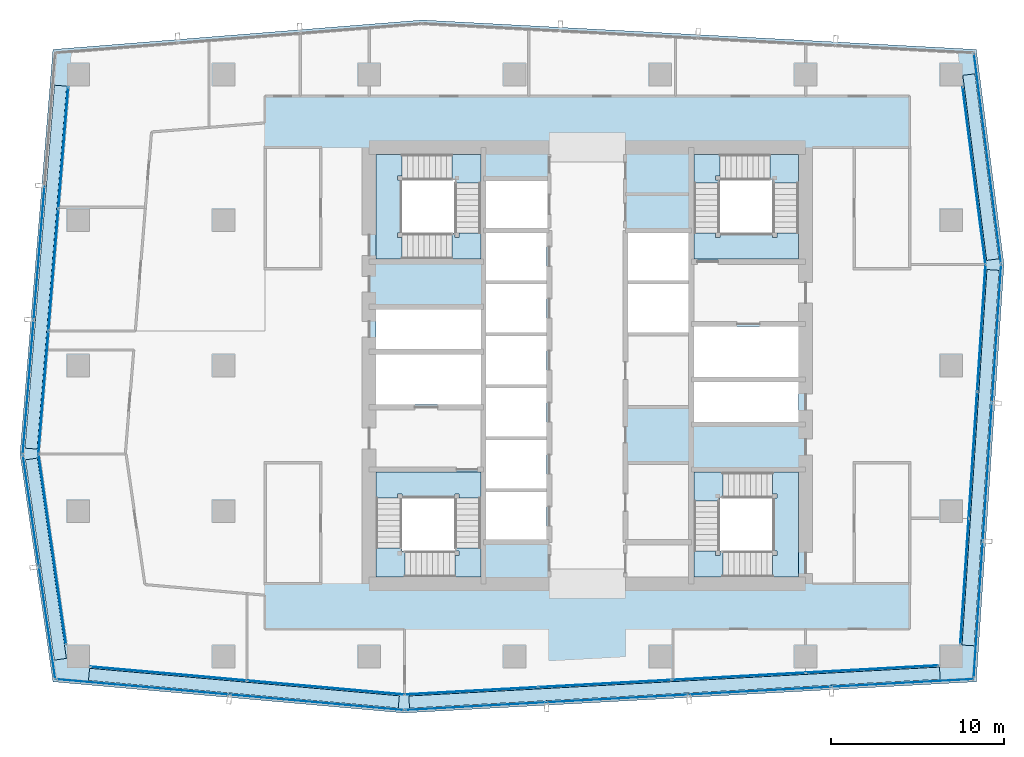
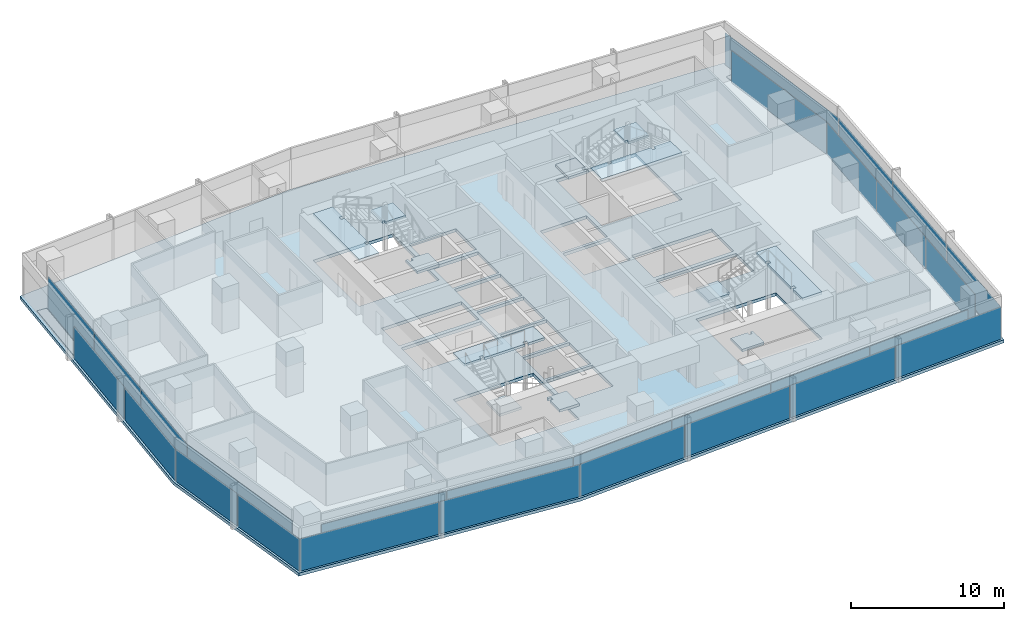
# One storey, part 21 of 29: 34 plates, 13 slabs, 16 elements without a shape of their own.
"""IFC4 building model written with IfcOpenShell, lengths in metres."""

from ifc_helpers import new_model, si_unit, direction, frame, origin, origin_2d, place, context, subcontext, project, spatial, polyline, rectangle, outline, extrude, material, layer, layer_set, type_object, element, aggregate, save


model = new_model("IFC4")

# Units and contexts
model_context = context("Model", 3, precision=1e-05, world=origin(), true_north=direction((0.0, 1.0)))
body_context = subcontext(model_context, "Body", "Model", "MODEL_VIEW")
ifc_project = project(units=[si_unit("LENGTHUNIT", "METRE"), si_unit("AREAUNIT", "SQUARE_METRE"), si_unit("VOLUMEUNIT", "CUBIC_METRE"), si_unit("PLANEANGLEUNIT", "RADIAN"), si_unit("MASSUNIT", "GRAM", prefix="KILO")], contexts=[model_context])

# Site, building, storey
site_placement = place(None, origin())
site = spatial("IfcSite", under=ifc_project, at=site_placement, CompositionType="ELEMENT")
building_placement = place(site_placement, origin())
building = spatial("IfcBuilding", under=site, at=building_placement, Name="Rekha Terrace Tower", CompositionType="ELEMENT")
storey_placement = place(building_placement, frame((0.0, 0.0, 261.35009765625)))
storey = spatial("IfcBuildingStorey", under=building, at=storey_placement, Name="L66", CompositionType="ELEMENT", Elevation=261.35009765625)

# Curtain wall, plates
ifc_material_1 = material(Name="Aluminium framing", Category="aluminium")
curtain_wall_type_1 = type_object("IfcCurtainWallType", Name="CW1 double skin inner glazing", PredefinedType="USERDEFINED", material=ifc_material_1)
curtain_wall_1_placement = place(storey_placement, origin())
curtain_wall_1 = element("IfcCurtainWall", 1, at=curtain_wall_1_placement, inside=storey, type_object=curtain_wall_type_1, Name="CW1 double skin inner glazing", ObjectType="DOUBLE SKIN INNER GLAZING", PredefinedType="USERDEFINED")
ifc_material_2 = material(Name="Double-glazed low-e unit 32", Category="glass")
ifc_layer_1 = layer(ifc_material_2, 0.031982421875)
ifc_layer_set_1 = layer_set([ifc_layer_1], Name="Double-glazed low-e unit 32")
plate_type_1 = type_object("IfcPlateType", Name="CW1 jumbo vision panel, double-glazed low-e unit 32", PredefinedType="CURTAIN_PANEL", material=ifc_layer_set_1)
plate_1_placement = place(storey_placement, frame((13.62939453125, 15.820556640625, -0.000244140625), z_axis=(0.0, 0.0, 1.0), x_axis=(0.996074182663, -0.088522441405, 0.0)))
plate_1 = element("IfcPlate", 2, at=plate_1_placement, type_object=plate_type_1, Name="CW1 panel 1.1", PredefinedType="CURTAIN_PANEL", context=body_context, shape_type="SweptSolid", body=[
    extrude(rectangle(XDim=9.010986328125, YDim=0.031982421875, at=origin_2d()), origin(), (0.0, 0.0, 1.0), 2.60009765625),
])
plate_2_placement = place(storey_placement, frame((22.701904296875, 15.01416015625, -0.000244140625), z_axis=(0.0, 0.0, 1.0), x_axis=(0.996074182663, -0.088522441405, 0.0)))
plate_2 = element("IfcPlate", 3, at=plate_2_placement, type_object=plate_type_1, Name="CW1 panel 2.1", PredefinedType="CURTAIN_PANEL", context=body_context, shape_type="SweptSolid", body=[
    extrude(rectangle(XDim=9.075927734375, YDim=0.031982421875, at=origin_2d()), origin(), (0.0, 0.0, 1.0), 2.60009765625),
])
aggregate(curtain_wall_1, [plate_1, plate_2])

curtain_wall_2_placement = place(storey_placement, origin())
curtain_wall_2 = element("IfcCurtainWall", 4, at=curtain_wall_2_placement, inside=storey, type_object=curtain_wall_type_1, Name="CW1 double skin inner glazing", ObjectType="DOUBLE SKIN INNER GLAZING", PredefinedType="USERDEFINED")
plate_3_placement = place(storey_placement, frame((31.101318359375, 14.82373046875, -0.000244140625), z_axis=(0.0, 0.0, 1.0), x_axis=(0.998519828159, 0.054388903036, 0.0)))
plate_3 = element("IfcPlate", 5, at=plate_3_placement, type_object=plate_type_1, Name="CW1 panel 1.1", PredefinedType="CURTAIN_PANEL", context=body_context, shape_type="SweptSolid", body=[
    extrude(rectangle(XDim=7.6396484375, YDim=0.031982421875, at=origin_2d()), origin(), (0.0, 0.0, 1.0), 2.60009765625),
])
plate_4_placement = place(storey_placement, frame((38.810791015625, 15.243896484375, -0.000244140625), z_axis=(0.0, 0.0, 1.0), x_axis=(0.998519828159, 0.054388903036, 0.0)))
plate_4 = element("IfcPlate", 6, at=plate_4_placement, type_object=plate_type_1, Name="CW1 panel 2.1", PredefinedType="CURTAIN_PANEL", context=body_context, shape_type="SweptSolid", body=[
    extrude(rectangle(XDim=7.672119140625, YDim=0.031982421875, at=origin_2d()), origin(), (0.0, 0.0, 1.0), 2.60009765625),
])
plate_5_placement = place(storey_placement, frame((46.536376953125, 15.66455078125, -0.000244140625), z_axis=(0.0, 0.0, 1.0), x_axis=(0.998519828159, 0.054388903036, 0.0)))
plate_5 = element("IfcPlate", 7, at=plate_5_placement, type_object=plate_type_1, Name="CW1 panel 3.1", PredefinedType="CURTAIN_PANEL", context=body_context, shape_type="SweptSolid", body=[
    extrude(rectangle(XDim=7.672119140625, YDim=0.031982421875, at=origin_2d()), origin(), (0.0, 0.0, 1.0), 2.60009765625),
])
plate_6_placement = place(storey_placement, frame((54.245849609375, 16.08447265625, -0.000244140625), z_axis=(0.0, 0.0, 1.0), x_axis=(0.998519828159, 0.054388903036, 0.0)))
plate_6 = element("IfcPlate", 8, at=plate_6_placement, type_object=plate_type_1, Name="CW1 panel 4.1", PredefinedType="CURTAIN_PANEL", context=body_context, shape_type="SweptSolid", body=[
    extrude(rectangle(XDim=7.6396484375, YDim=0.031982421875, at=origin_2d()), origin(), (0.0, 0.0, 1.0), 2.60009765625),
])
aggregate(curtain_wall_2, [plate_3, plate_4, plate_5, plate_6])

curtain_wall_3_placement = place(storey_placement, origin())
curtain_wall_3 = element("IfcCurtainWall", 9, at=curtain_wall_3_placement, inside=storey, type_object=curtain_wall_type_1, Name="CW1 double skin inner glazing", ObjectType="DOUBLE SKIN INNER GLAZING", PredefinedType="USERDEFINED")
plate_7_placement = place(storey_placement, frame((59.57275390625, 21.147705078125, -0.000244140625), z_axis=(0.0, 0.0, 1.0), x_axis=(0.066271589649, 0.997801621769, 0.0)))
plate_7 = element("IfcPlate", 10, at=plate_7_placement, type_object=plate_type_1, Name="CW1 panel 1.1", PredefinedType="CURTAIN_PANEL", context=body_context, shape_type="SweptSolid", body=[
    extrude(rectangle(XDim=7.228759765625, YDim=0.031982421875, at=origin_2d()), origin(), (0.0, 0.0, 1.0), 2.60009765625),
])
plate_8_placement = place(storey_placement, frame((60.05712890625, 28.441650390625, -0.000244140625), z_axis=(0.0, 0.0, 1.0), x_axis=(0.066271589649, 0.997801621769, 0.0)))
plate_8 = element("IfcPlate", 11, at=plate_8_placement, type_object=plate_type_1, Name="CW1 panel 2.1", PredefinedType="CURTAIN_PANEL", context=body_context, shape_type="SweptSolid", body=[
    extrude(rectangle(XDim=7.261474609375, YDim=0.031982421875, at=origin_2d()), origin(), (0.0, 0.0, 1.0), 2.60009765625),
])
plate_9_placement = place(storey_placement, frame((60.543701171875, 35.76806640625, -0.000244140625), z_axis=(0.0, 0.0, 1.0), x_axis=(0.066271589649, 0.997801621769, 0.0)))
plate_9 = element("IfcPlate", 12, at=plate_9_placement, type_object=plate_type_1, Name="CW1 panel 3.1", PredefinedType="CURTAIN_PANEL", context=body_context, shape_type="SweptSolid", body=[
    extrude(rectangle(XDim=7.2939453125, YDim=0.031982421875, at=origin_2d()), origin(), (0.0, 0.0, 1.0), 2.60009765625),
])
aggregate(curtain_wall_3, [plate_7, plate_8, plate_9])

# Curtain wall, plate
curtain_wall_4_placement = place(storey_placement, origin())
curtain_wall_4 = element("IfcCurtainWall", 13, at=curtain_wall_4_placement, inside=storey, type_object=curtain_wall_type_1, Name="CW1 double skin inner glazing", ObjectType="DOUBLE SKIN INNER GLAZING", PredefinedType="USERDEFINED")
plate_10_placement = place(storey_placement, frame((60.119873046875, 44.56884765625, -0.000244140625), z_axis=(0.0, 0.0, 1.0), x_axis=(-0.127869904766, 0.991790949472, 0.0)))
plate_10 = element("IfcPlate", 14, at=plate_10_placement, type_object=plate_type_1, Name="CW1 panel 1.1", PredefinedType="CURTAIN_PANEL", context=body_context, shape_type="SweptSolid", body=[
    extrude(rectangle(XDim=10.27880859375, YDim=0.031982421875, at=origin_2d()), origin(), (0.0, 0.0, 1.0), 2.60009765625),
])
aggregate(curtain_wall_4, [plate_10])

# Curtain wall, plates
curtain_wall_5_placement = place(storey_placement, origin())
curtain_wall_5 = element("IfcCurtainWall", 15, at=curtain_wall_5_placement, inside=storey, type_object=curtain_wall_type_1, Name="CW1 double skin inner glazing", ObjectType="DOUBLE SKIN INNER GLAZING", PredefinedType="USERDEFINED")
plate_11_placement = place(storey_placement, frame((7.5517578125, 46.173095703125, -0.000244140625), z_axis=(0.0, 0.0, 1.0), x_axis=(-0.081067906781, -0.996708580524, 0.0)))
plate_11 = element("IfcPlate", 16, at=plate_11_placement, type_object=plate_type_1, Name="CW1 panel 1.1", PredefinedType="CURTAIN_PANEL", context=body_context, shape_type="SweptSolid", body=[
    extrude(rectangle(XDim=6.9921875, YDim=0.031982421875, at=origin_2d()), origin(), (0.0, 0.0, 1.0), 2.60009765625),
])
plate_12_placement = place(storey_placement, frame((6.978271484375, 39.123046875, -0.000244140625), z_axis=(0.0, 0.0, 1.0), x_axis=(-0.081067906781, -0.996708580524, 0.0)))
plate_12 = element("IfcPlate", 17, at=plate_12_placement, type_object=plate_type_1, Name="CW1 panel 2.1", PredefinedType="CURTAIN_PANEL", context=body_context, shape_type="SweptSolid", body=[
    extrude(rectangle(XDim=7.024658203125, YDim=0.031982421875, at=origin_2d()), origin(), (0.0, 0.0, 1.0), 2.60009765625),
])
plate_13_placement = place(storey_placement, frame((6.40234375, 32.040283203125, -0.000244140625), z_axis=(0.0, 0.0, 1.0), x_axis=(-0.081067906781, -0.996708580524, 0.0)))
plate_13 = element("IfcPlate", 18, at=plate_13_placement, type_object=plate_type_1, Name="CW1 panel 3.1", PredefinedType="CURTAIN_PANEL", context=body_context, shape_type="SweptSolid", body=[
    extrude(rectangle(XDim=7.057373046875, YDim=0.031982421875, at=origin_2d()), origin(), (0.0, 0.0, 1.0), 2.60009765625),
])
aggregate(curtain_wall_5, [plate_11, plate_12, plate_13])

# Curtain wall, plate
curtain_wall_6_placement = place(storey_placement, origin())
curtain_wall_6 = element("IfcCurtainWall", 19, at=curtain_wall_6_placement, inside=storey, type_object=curtain_wall_type_1, Name="CW1 double skin inner glazing", ObjectType="DOUBLE SKIN INNER GLAZING", PredefinedType="USERDEFINED")
plate_14_placement = place(storey_placement, frame((6.915771484375, 22.994140625, -0.000244140625), z_axis=(0.0, 0.0, 1.0), x_axis=(0.143108322643, -0.989707031394, 0.0)))
plate_14 = element("IfcPlate", 20, at=plate_14_placement, type_object=plate_type_1, Name="CW1 panel 1.1", PredefinedType="CURTAIN_PANEL", context=body_context, shape_type="SweptSolid", body=[
    extrude(rectangle(XDim=11.043212890625, YDim=0.031982421875, at=origin_2d()), origin(), (0.0, 0.0, 1.0), 2.60009765625),
])
aggregate(curtain_wall_6, [plate_14])

# Curtain wall, plates
curtain_wall_type_2 = type_object("IfcCurtainWallType", Name="CW2 double skin outer glazing", PredefinedType="USERDEFINED", material=ifc_material_1)
curtain_wall_7_placement = place(storey_placement, origin())
curtain_wall_7 = element("IfcCurtainWall", 21, at=curtain_wall_7_placement, inside=storey, type_object=curtain_wall_type_2, Name="CW2 double skin outer glazing", ObjectType="DOUBLE SKIN OUTER GLAZING", PredefinedType="USERDEFINED")
ifc_material_3 = material(Name="Toughened single glazing 12", Category="glass")
ifc_layer_2 = layer(ifc_material_3, 0.011962890625)
ifc_layer_set_2 = layer_set([ifc_layer_2], Name="Toughened single glazing 12")
plate_type_2 = type_object("IfcPlateType", Name="CW2 jumbo vision panel, toughened single glazing 12", PredefinedType="CURTAIN_PANEL", material=ifc_layer_set_2)
plate_15_placement = place(storey_placement, frame((12.139404296875, 15.049560546875, -0.000244140625), z_axis=(0.0, 0.0, 1.0), x_axis=(0.996074182658, -0.088522441457, 0.0)))
plate_15 = element("IfcPlate", 22, at=plate_15_placement, type_object=plate_type_2, Name="CW2 panel 1.1", PredefinedType="CURTAIN_PANEL", context=body_context, shape_type="SweptSolid", body=[
    extrude(rectangle(XDim=9.977783203125, YDim=0.011962890625, at=origin_2d()), origin(), (0.0, 0.0, 1.0), 2.60009765625),
])
plate_16_placement = place(storey_placement, frame((22.197509765625, 14.155517578125, -0.000244140625), z_axis=(0.0, 0.0, 1.0), x_axis=(0.996074182658, -0.088522441457, 0.0)))
plate_16 = element("IfcPlate", 23, at=plate_16_placement, type_object=plate_type_2, Name="CW2 panel 2.1", PredefinedType="CURTAIN_PANEL", context=body_context, shape_type="SweptSolid", body=[
    extrude(rectangle(XDim=10.057861328125, YDim=0.011962890625, at=origin_2d()), origin(), (0.0, 0.0, 1.0), 2.60009765625),
])
aggregate(curtain_wall_7, [plate_15, plate_16])

curtain_wall_8_placement = place(storey_placement, origin())
curtain_wall_8 = element("IfcCurtainWall", 24, at=curtain_wall_8_placement, inside=storey, type_object=curtain_wall_type_2, Name="CW2 double skin outer glazing", ObjectType="DOUBLE SKIN OUTER GLAZING", PredefinedType="USERDEFINED")
plate_17_placement = place(storey_placement, frame((31.33837890625, 13.935546875, -0.000244140625), z_axis=(0.0, 0.0, 1.0), x_axis=(0.998519828157, 0.054388903071, 0.0)))
plate_17 = element("IfcPlate", 25, at=plate_17_placement, type_object=plate_type_2, Name="CW2 panel 1.1", PredefinedType="CURTAIN_PANEL", context=body_context, shape_type="SweptSolid", body=[
    extrude(rectangle(XDim=8.115478515625, YDim=0.011962890625, at=origin_2d()), origin(), (0.0, 0.0, 1.0), 2.60009765625),
])
plate_18_placement = place(storey_placement, frame((39.54150390625, 14.38232421875, -0.000244140625), z_axis=(0.0, 0.0, 1.0), x_axis=(0.998519828157, 0.054388903071, 0.0)))
plate_18 = element("IfcPlate", 26, at=plate_18_placement, type_object=plate_type_2, Name="CW2 panel 2.1", PredefinedType="CURTAIN_PANEL", context=body_context, shape_type="SweptSolid", body=[
    extrude(rectangle(XDim=8.155517578125, YDim=0.011962890625, at=origin_2d()), origin(), (0.0, 0.0, 1.0), 2.60009765625),
])
plate_19_placement = place(storey_placement, frame((47.764892578125, 14.830078125, -0.000244140625), z_axis=(0.0, 0.0, 1.0), x_axis=(0.998519828157, 0.054388903071, 0.0)))
plate_19 = element("IfcPlate", 27, at=plate_19_placement, type_object=plate_type_2, Name="CW2 panel 3.1", PredefinedType="CURTAIN_PANEL", context=body_context, shape_type="SweptSolid", body=[
    extrude(rectangle(XDim=8.155517578125, YDim=0.011962890625, at=origin_2d()), origin(), (0.0, 0.0, 1.0), 2.60009765625),
])
plate_20_placement = place(storey_placement, frame((56.008056640625, 15.279296875, -0.000244140625), z_axis=(0.0, 0.0, 1.0), x_axis=(0.998519828157, 0.054388903071, 0.0)))
plate_20 = element("IfcPlate", 28, at=plate_20_placement, type_object=plate_type_2, Name="CW2 panel 4.1", PredefinedType="CURTAIN_PANEL", context=body_context, shape_type="SweptSolid", body=[
    extrude(rectangle(XDim=8.195556640625, YDim=0.011962890625, at=origin_2d()), origin(), (0.0, 0.0, 1.0), 2.60009765625),
])
aggregate(curtain_wall_8, [plate_17, plate_18, plate_19, plate_20])

curtain_wall_9_placement = place(storey_placement, origin())
curtain_wall_9 = element("IfcCurtainWall", 29, at=curtain_wall_9_placement, inside=storey, type_object=curtain_wall_type_2, Name="CW2 double skin outer glazing", ObjectType="DOUBLE SKIN OUTER GLAZING", PredefinedType="USERDEFINED")
plate_21_placement = place(storey_placement, frame((60.365966796875, 19.5107421875, -0.000244140625), z_axis=(0.0, 0.0, 1.0), x_axis=(0.066271589649, 0.997801621769, 0.0)))
plate_21 = element("IfcPlate", 30, at=plate_21_placement, type_object=plate_type_2, Name="CW2 panel 1.1", PredefinedType="CURTAIN_PANEL", context=body_context, shape_type="SweptSolid", body=[
    extrude(rectangle(XDim=7.875244140625, YDim=0.011962890625, at=origin_2d()), origin(), (0.0, 0.0, 1.0), 2.60009765625),
])
plate_22_placement = place(storey_placement, frame((60.89453125, 27.468505859375, -0.000244140625), z_axis=(0.0, 0.0, 1.0), x_axis=(0.066271589649, 0.997801621769, 0.0)))
plate_22 = element("IfcPlate", 31, at=plate_22_placement, type_object=plate_type_2, Name="CW2 panel 2.1", PredefinedType="CURTAIN_PANEL", context=body_context, shape_type="SweptSolid", body=[
    extrude(rectangle(XDim=7.915283203125, YDim=0.011962890625, at=origin_2d()), origin(), (0.0, 0.0, 1.0), 2.60009765625),
])
plate_23_placement = place(storey_placement, frame((61.42578125, 35.466064453125, -0.000244140625), z_axis=(0.0, 0.0, 1.0), x_axis=(0.066271589649, 0.997801621769, 0.0)))
plate_23 = element("IfcPlate", 32, at=plate_23_placement, type_object=plate_type_2, Name="CW2 panel 3.1", PredefinedType="CURTAIN_PANEL", context=body_context, shape_type="SweptSolid", body=[
    extrude(rectangle(XDim=7.955322265625, YDim=0.011962890625, at=origin_2d()), origin(), (0.0, 0.0, 1.0), 2.60009765625),
])
aggregate(curtain_wall_9, [plate_21, plate_22, plate_23])

# Curtain wall, plate
curtain_wall_10_placement = place(storey_placement, origin())
curtain_wall_10 = element("IfcCurtainWall", 33, at=curtain_wall_10_placement, inside=storey, type_object=curtain_wall_type_2, Name="CW2 double skin outer glazing", ObjectType="DOUBLE SKIN OUTER GLAZING", PredefinedType="USERDEFINED")
plate_24_placement = place(storey_placement, frame((60.89892578125, 45.566162109375, -0.000244140625), z_axis=(0.0, 0.0, 1.0), x_axis=(-0.12786990487, 0.991790949459, 0.0)))
plate_24 = element("IfcPlate", 34, at=plate_24_placement, type_object=plate_type_2, Name="CW2 panel 1.1", PredefinedType="CURTAIN_PANEL", context=body_context, shape_type="SweptSolid", body=[
    extrude(rectangle(XDim=12.203857421875, YDim=0.011962890625, at=origin_2d()), origin(), (0.0, 0.0, 1.0), 2.60009765625),
])
aggregate(curtain_wall_10, [plate_24])

# Curtain wall, plates
curtain_wall_11_placement = place(storey_placement, origin())
curtain_wall_11 = element("IfcCurtainWall", 35, at=curtain_wall_11_placement, inside=storey, type_object=curtain_wall_type_2, Name="CW2 double skin outer glazing", ObjectType="DOUBLE SKIN OUTER GLAZING", PredefinedType="USERDEFINED")
plate_25_placement = place(storey_placement, frame((6.15478515625, 40.09814453125, -0.000244140625), z_axis=(0.0, 0.0, 1.0), x_axis=(-0.081067906816, -0.996708580521, 0.0)))
plate_25 = element("IfcPlate", 36, at=plate_25_placement, type_object=plate_type_2, Name="CW2 panel 2.1", PredefinedType="CURTAIN_PANEL", context=body_context, shape_type="SweptSolid", body=[
    extrude(rectangle(XDim=7.680908203125, YDim=0.011962890625, at=origin_2d()), origin(), (0.0, 0.0, 1.0), 2.60009765625),
])
plate_26_placement = place(storey_placement, frame((5.52392578125, 32.3427734375, -0.000244140625), z_axis=(0.0, 0.0, 1.0), x_axis=(-0.081067906816, -0.996708580521, 0.0)))
plate_26 = element("IfcPlate", 37, at=plate_26_placement, type_object=plate_type_2, Name="CW2 panel 3.1", PredefinedType="CURTAIN_PANEL", context=body_context, shape_type="SweptSolid", body=[
    extrude(rectangle(XDim=7.720947265625, YDim=0.011962890625, at=origin_2d()), origin(), (0.0, 0.0, 1.0), 2.60009765625),
])
aggregate(curtain_wall_11, [plate_25, plate_26])

curtain_wall_12_placement = place(storey_placement, origin())
curtain_wall_12 = element("IfcCurtainWall", 38, at=curtain_wall_12_placement, inside=storey, type_object=curtain_wall_type_2, Name="CW2 double skin outer glazing", ObjectType="DOUBLE SKIN OUTER GLAZING", PredefinedType="USERDEFINED")
plate_27_placement = place(storey_placement, frame((5.68359375, 25.22607421875, -0.000244140625), z_axis=(0.0, 0.0, 1.0), x_axis=(0.143108322678, -0.989707031389, 0.0)))
plate_27 = element("IfcPlate", 39, at=plate_27_placement, type_object=plate_type_2, Name="CW2 panel 1.1", PredefinedType="CURTAIN_PANEL", context=body_context, shape_type="SweptSolid", body=[
    extrude(rectangle(XDim=6.446044921875, YDim=0.011962890625, at=origin_2d()), origin(), (0.0, 0.0, 1.0), 2.60009765625),
])
plate_28_placement = place(storey_placement, frame((6.623291015625, 18.7275390625, -0.000244140625), z_axis=(0.0, 0.0, 1.0), x_axis=(0.143108322678, -0.989707031389, 0.0)))
plate_28 = element("IfcPlate", 40, at=plate_28_placement, type_object=plate_type_2, Name="CW2 panel 2.1", PredefinedType="CURTAIN_PANEL", context=body_context, shape_type="SweptSolid", body=[
    extrude(rectangle(XDim=6.526123046875, YDim=0.011962890625, at=origin_2d()), origin(), (0.0, 0.0, 1.0), 2.60009765625),
])
aggregate(curtain_wall_12, [plate_27, plate_28])

# Plates
ifc_material_4 = material(Name="Galvanised steel open grating", Category="steel")
ifc_layer_3 = layer(ifc_material_4, 0.050048828125)
ifc_layer_set_3 = layer_set([ifc_layer_3], Name="Galvanised steel open grating")
plate_type_3 = type_object("IfcPlateType", Name="GT1 cavity walkway grating 50", PredefinedType="USERDEFINED", material=ifc_layer_set_3)
plate_29_placement = place(storey_placement, frame((17.974853515625, 14.982666015625, 0.0), z_axis=(0.0, 0.0, 1.0), x_axis=(0.99607418266, -0.08852244144, 0.0)))
element("IfcPlate", 41, at=plate_29_placement, inside=storey, type_object=plate_type_3, Name="Cavity walkway grating", ObjectType="CAVITY WALKWAY GRATING", PredefinedType="USERDEFINED", context=body_context, shape_type="SweptSolid", body=[
    extrude(rectangle(XDim=17.9521484375, YDim=0.705078125, at=origin_2d()), origin(), (0.0, 0.0, 1.0), 0.050048828125),
])
plate_30_placement = place(storey_placement, frame((42.830322265625, 15.011962890625, 0.0), z_axis=(0.0, 0.0, 1.0), x_axis=(0.998519828157, 0.054388903071, 0.0)))
element("IfcPlate", 42, at=plate_30_placement, inside=storey, type_object=plate_type_3, Name="Cavity walkway grating", ObjectType="CAVITY WALKWAY GRATING", PredefinedType="USERDEFINED", context=body_context, shape_type="SweptSolid", body=[
    extrude(rectangle(XDim=30.677978515625, YDim=0.705078125, at=origin_2d()), origin(), (0.0, 0.0, 1.0), 0.050048828125),
])
plate_31_placement = place(storey_placement, frame((60.497802734375, 28.284912109375, 0.0), z_axis=(0.0, 0.0, 1.0), x_axis=(0.066271589649, 0.997801621769, 0.0)))
element("IfcPlate", 43, at=plate_31_placement, inside=storey, type_object=plate_type_3, Name="Cavity walkway grating", ObjectType="CAVITY WALKWAY GRATING", PredefinedType="USERDEFINED", context=body_context, shape_type="SweptSolid", body=[
    extrude(rectangle(XDim=21.72119140625, YDim=0.705078125, at=origin_2d()), origin(), (0.0, 0.0, 1.0), 0.050048828125),
])
plate_32_placement = place(storey_placement, frame((60.510498046875, 45.058837890625, 0.0), z_axis=(0.0, 0.0, 1.0), x_axis=(-0.127869904852, 0.991790949461, 0.0)))
element("IfcPlate", 44, at=plate_32_placement, inside=storey, type_object=plate_type_3, Name="Cavity walkway grating", ObjectType="CAVITY WALKWAY GRATING", PredefinedType="USERDEFINED", context=body_context, shape_type="SweptSolid", body=[
    extrude(rectangle(XDim=10.76904296875, YDim=0.705078125, at=origin_2d()), origin(), (0.0, 0.0, 1.0), 0.050048828125),
])
plate_33_placement = place(storey_placement, frame((6.5400390625, 39.28369140625, 0.0), z_axis=(0.0, 0.0, 1.0), x_axis=(-0.081067906798, -0.996708580523, 0.0)))
element("IfcPlate", 45, at=plate_33_placement, inside=storey, type_object=plate_type_3, Name="Cavity walkway grating", ObjectType="CAVITY WALKWAY GRATING", PredefinedType="USERDEFINED", context=body_context, shape_type="SweptSolid", body=[
    extrude(rectangle(XDim=21.02001953125, YDim=0.705078125, at=origin_2d()), origin(), (0.0, 0.0, 1.0), 0.050048828125),
])
plate_34_placement = place(storey_placement, frame((6.54248046875, 22.4306640625, 0.0), z_axis=(0.0, 0.0, 1.0), x_axis=(0.143108322643, -0.989707031394, 0.0)))
element("IfcPlate", 46, at=plate_34_placement, inside=storey, type_object=plate_type_3, Name="Cavity walkway grating", ObjectType="CAVITY WALKWAY GRATING", PredefinedType="USERDEFINED", context=body_context, shape_type="SweptSolid", body=[
    extrude(rectangle(XDim=11.68310546875, YDim=0.705078125, at=origin_2d()), origin(), (0.0, 0.0, 1.0), 0.050048828125),
])

# Stair, slabs
ifc_material_5 = material(Name="Concrete M40", Category="concrete")
stair_type = type_object("IfcStairType", Name="ST30 stair, 30 risers of 125, going 320, 1500 wide flights, 3 flights", PredefinedType="HALF_TURN_STAIR", material=ifc_material_5)
stair_1_placement = place(storey_placement, origin())
stair_1 = element("IfcStair", 47, at=stair_1_placement, inside=storey, type_object=stair_type, Name="Stair ST1 L66 to L67", PredefinedType="HALF_TURN_STAIR")
ifc_layer_4 = layer(ifc_material_5, 0.199951171875)
ifc_layer_set_4 = layer_set([ifc_layer_4], Name="Concrete M40")
slab_type_1 = type_object("IfcSlabType", Name="LD1 200 concrete stair landing", PredefinedType="LANDING", material=ifc_layer_set_4)
slab_1_placement = place(storey_placement, frame((0.0, 0.0, 1.0498046875)))
slab_1 = element("IfcSlab", 48, at=slab_1_placement, type_object=slab_type_1, Name="ST1 landing 1", PredefinedType="LANDING", context=body_context, shape_type="SweptSolid", body=[
    extrude(outline(polyline([(30.14990234375, 21.39990234375), (31.64990234375, 21.39990234375), (31.64990234375, 23.070068359375), (30.14990234375, 23.070068359375), (30.14990234375, 22.89990234375), (30.39990234375, 22.89990234375), (30.39990234375, 22.64990234375), (30.14990234375, 22.64990234375), (30.14990234375, 21.39990234375)])), origin(), (0.0, 0.0, 1.0), 0.2001953125),
])
slab_2_placement = place(storey_placement, frame((0.0, 0.0, 2.2998046875)))
slab_2 = element("IfcSlab", 49, at=slab_2_placement, type_object=slab_type_1, Name="ST1 landing 2", PredefinedType="LANDING", context=body_context, shape_type="SweptSolid", body=[
    extrude(outline(polyline([(27.10009765625, 23.070068359375), (25.60009765625, 23.070068359375), (25.60009765625, 21.39990234375), (27.27001953125, 21.39990234375), (27.27001953125, 22.89990234375), (27.10009765625, 22.89990234375), (27.10009765625, 23.070068359375)])), origin(), (0.0, 0.0, 1.0), 0.2001953125),
])
slab_3_placement = place(storey_placement, frame((0.0, 0.0, 3.5498046875)))
slab_3 = element("IfcSlab", 50, at=slab_3_placement, type_object=slab_type_1, Name="ST1 landing 3", PredefinedType="LANDING", context=body_context, shape_type="SweptSolid", body=[
    extrude(outline(polyline([(31.64990234375, 25.949951171875), (31.64990234375, 27.449951171875), (25.60009765625, 27.449951171875), (25.60009765625, 25.949951171875), (26.85009765625, 25.949951171875), (26.85009765625, 26.199951171875), (27.10009765625, 26.199951171875), (27.10009765625, 25.949951171875), (30.14990234375, 25.949951171875), (30.14990234375, 26.199951171875), (30.39990234375, 26.199951171875), (30.39990234375, 25.949951171875), (31.64990234375, 25.949951171875)])), origin(), (0.0, 0.0, 1.0), 0.2001953125),
])
aggregate(stair_1, [slab_1, slab_2, slab_3])

stair_2_placement = place(storey_placement, origin())
stair_2 = element("IfcStair", 51, at=stair_2_placement, inside=storey, type_object=stair_type, Name="Stair ST2 L66 to L67", PredefinedType="HALF_TURN_STAIR")
slab_4_placement = place(storey_placement, frame((0.0, 0.0, 1.0498046875)))
slab_4 = element("IfcSlab", 52, at=slab_4_placement, type_object=slab_type_1, Name="ST2 landing 1", PredefinedType="LANDING", context=body_context, shape_type="SweptSolid", body=[
    extrude(outline(polyline([(45.449951171875, 45.800048828125), (43.949951171875, 45.800048828125), (43.949951171875, 44.1298828125), (45.449951171875, 44.1298828125), (45.449951171875, 44.300048828125), (45.199951171875, 44.300048828125), (45.199951171875, 44.550048828125), (45.449951171875, 44.550048828125), (45.449951171875, 45.800048828125)])), origin(), (0.0, 0.0, 1.0), 0.2001953125),
])
slab_5_placement = place(storey_placement, frame((0.0, 0.0, 2.2998046875)))
slab_5 = element("IfcSlab", 53, at=slab_5_placement, type_object=slab_type_1, Name="ST2 landing 2", PredefinedType="LANDING", context=body_context, shape_type="SweptSolid", body=[
    extrude(outline(polyline([(48.5, 44.1298828125), (50.0, 44.1298828125), (50.0, 45.800048828125), (48.330078125, 45.800048828125), (48.330078125, 44.300048828125), (48.5, 44.300048828125), (48.5, 44.1298828125)])), origin(), (0.0, 0.0, 1.0), 0.2001953125),
])
slab_6_placement = place(storey_placement, frame((0.0, 0.0, 3.5498046875)))
slab_6 = element("IfcSlab", 54, at=slab_6_placement, type_object=slab_type_1, Name="ST2 landing 3", PredefinedType="LANDING", context=body_context, shape_type="SweptSolid", body=[
    extrude(outline(polyline([(43.949951171875, 41.25), (43.949951171875, 39.75), (50.0, 39.75), (50.0, 41.25), (48.75, 41.25), (48.75, 41.0), (48.5, 41.0), (48.5, 41.25), (45.449951171875, 41.25), (45.449951171875, 41.0), (45.199951171875, 41.0), (45.199951171875, 41.25), (43.949951171875, 41.25)])), origin(), (0.0, 0.0, 1.0), 0.2001953125),
])
aggregate(stair_2, [slab_4, slab_5, slab_6])

stair_3_placement = place(storey_placement, origin())
stair_3 = element("IfcStair", 55, at=stair_3_placement, inside=storey, type_object=stair_type, Name="Stair ST3 L66 to L67", PredefinedType="HALF_TURN_STAIR")
slab_7_placement = place(storey_placement, frame((0.0, 0.0, 1.0498046875)))
slab_7 = element("IfcSlab", 56, at=slab_7_placement, type_object=slab_type_1, Name="ST3 landing 1", PredefinedType="LANDING", context=body_context, shape_type="SweptSolid", body=[
    extrude(outline(polyline([(43.949951171875, 22.89990234375), (43.949951171875, 21.39990234375), (45.6201171875, 21.39990234375), (45.6201171875, 22.89990234375), (45.449951171875, 22.89990234375), (45.449951171875, 22.64990234375), (45.199951171875, 22.64990234375), (45.199951171875, 22.89990234375), (43.949951171875, 22.89990234375)])), origin(), (0.0, 0.0, 1.0), 0.2001953125),
])
slab_8_placement = place(storey_placement, frame((0.0, 0.0, 2.2998046875)))
slab_8 = element("IfcSlab", 57, at=slab_8_placement, type_object=slab_type_1, Name="ST3 landing 2", PredefinedType="LANDING", context=body_context, shape_type="SweptSolid", body=[
    extrude(outline(polyline([(45.6201171875, 25.949951171875), (45.6201171875, 27.449951171875), (43.949951171875, 27.449951171875), (43.949951171875, 25.780029296875), (45.449951171875, 25.780029296875), (45.449951171875, 25.949951171875), (45.6201171875, 25.949951171875)])), origin(), (0.0, 0.0, 1.0), 0.2001953125),
])
slab_9_placement = place(storey_placement, frame((0.0, 0.0, 3.5498046875)))
slab_9 = element("IfcSlab", 58, at=slab_9_placement, type_object=slab_type_1, Name="ST3 landing 3", PredefinedType="LANDING", context=body_context, shape_type="SweptSolid", body=[
    extrude(outline(polyline([(48.5, 21.39990234375), (50.0, 21.39990234375), (50.0, 27.449951171875), (48.5, 27.449951171875), (48.5, 26.199951171875), (48.75, 26.199951171875), (48.75, 25.949951171875), (48.5, 25.949951171875), (48.5, 22.89990234375), (48.75, 22.89990234375), (48.75, 22.64990234375), (48.5, 22.64990234375), (48.5, 21.39990234375)])), origin(), (0.0, 0.0, 1.0), 0.2001953125),
])
aggregate(stair_3, [slab_7, slab_8, slab_9])

stair_4_placement = place(storey_placement, origin())
stair_4 = element("IfcStair", 59, at=stair_4_placement, inside=storey, type_object=stair_type, Name="Stair ST4 L66 to L67", PredefinedType="HALF_TURN_STAIR")
slab_10_placement = place(storey_placement, frame((0.0, 0.0, 1.0498046875)))
slab_10 = element("IfcSlab", 60, at=slab_10_placement, type_object=slab_type_1, Name="ST4 landing 1", PredefinedType="LANDING", context=body_context, shape_type="SweptSolid", body=[
    extrude(outline(polyline([(31.64990234375, 41.25), (31.64990234375, 39.75), (29.97998046875, 39.75), (29.97998046875, 41.25), (30.14990234375, 41.25), (30.14990234375, 41.0), (30.39990234375, 41.0), (30.39990234375, 41.25), (31.64990234375, 41.25)])), origin(), (0.0, 0.0, 1.0), 0.2001953125),
])
slab_11_placement = place(storey_placement, frame((0.0, 0.0, 2.2998046875)))
slab_11 = element("IfcSlab", 61, at=slab_11_placement, type_object=slab_type_1, Name="ST4 landing 2", PredefinedType="LANDING", context=body_context, shape_type="SweptSolid", body=[
    extrude(outline(polyline([(29.97998046875, 44.300048828125), (29.97998046875, 45.800048828125), (31.64990234375, 45.800048828125), (31.64990234375, 44.1298828125), (30.14990234375, 44.1298828125), (30.14990234375, 44.300048828125), (29.97998046875, 44.300048828125)])), origin(), (0.0, 0.0, 1.0), 0.2001953125),
])
slab_12_placement = place(storey_placement, frame((0.0, 0.0, 3.5498046875)))
slab_12 = element("IfcSlab", 62, at=slab_12_placement, type_object=slab_type_1, Name="ST4 landing 3", PredefinedType="LANDING", context=body_context, shape_type="SweptSolid", body=[
    extrude(outline(polyline([(27.10009765625, 39.75), (25.60009765625, 39.75), (25.60009765625, 45.800048828125), (27.10009765625, 45.800048828125), (27.10009765625, 44.550048828125), (26.85009765625, 44.550048828125), (26.85009765625, 44.300048828125), (27.10009765625, 44.300048828125), (27.10009765625, 41.25), (26.85009765625, 41.25), (26.85009765625, 41.0), (27.10009765625, 41.0), (27.10009765625, 39.75)])), origin(), (0.0, 0.0, 1.0), 0.2001953125),
])
aggregate(stair_4, [slab_10, slab_11, slab_12])

# Slab
ifc_material_6 = material(Name="Concrete M50", Category="concrete")
ifc_layer_5 = layer(ifc_material_6, 0.25)
ifc_layer_set_5 = layer_set([ifc_layer_5], Name="Concrete M50")
slab_type_2 = type_object("IfcSlabType", Name="SL4 250 post-tensioned flat plate", PredefinedType="FLOOR", material=ifc_layer_set_5)
slab_13_placement = place(storey_placement, frame((0.0, 0.0, -0.25)))
element("IfcSlab", 63, at=slab_13_placement, inside=storey, type_object=slab_type_2, Name="Post-tensioned flat plate L66", PredefinedType="FLOOR", context=body_context, shape_type="SweptSolid", body=[
    extrude(outline(polyline([(5.050048828125, 28.489990234375), (6.949951171875, 15.35009765625), (27.2041015625, 13.550048828125), (60.25, 15.35009765625), (61.85009765625, 39.43994140625), (60.25, 51.85009765625), (28.27001953125, 53.550048828125), (6.949951171875, 51.85009765625), (5.050048828125, 28.489990234375)]), holes=[polyline([(31.64990234375, 27.449951171875), (31.64990234375, 21.39990234375), (25.60009765625, 21.39990234375), (25.60009765625, 27.449951171875), (31.64990234375, 27.449951171875)]), polyline([(35.449951171875, 26.300048828125), (35.449951171875, 23.550048828125), (31.949951171875, 23.550048828125), (31.949951171875, 26.300048828125), (35.449951171875, 26.300048828125)]), polyline([(35.449951171875, 29.300048828125), (35.449951171875, 26.5), (31.949951171875, 26.5), (31.949951171875, 29.300048828125), (35.449951171875, 29.300048828125)]), polyline([(35.449951171875, 32.300048828125), (35.449951171875, 29.5), (31.949951171875, 29.5), (31.949951171875, 32.300048828125), (35.449951171875, 32.300048828125)]), polyline([(31.64990234375, 34.25), (31.64990234375, 31.35009765625), (25.60009765625, 31.35009765625), (25.60009765625, 34.25), (31.64990234375, 34.25)]), polyline([(35.449951171875, 35.300048828125), (35.449951171875, 32.5), (31.949951171875, 32.5), (31.949951171875, 35.300048828125), (35.449951171875, 35.300048828125)]), polyline([(31.64990234375, 36.85009765625), (31.64990234375, 34.550048828125), (25.60009765625, 34.550048828125), (25.60009765625, 36.85009765625), (31.64990234375, 36.85009765625)]), polyline([(35.449951171875, 38.300048828125), (35.449951171875, 35.5), (31.949951171875, 35.5), (31.949951171875, 38.300048828125), (35.449951171875, 38.300048828125)]), polyline([(31.64990234375, 45.800048828125), (31.64990234375, 39.75), (25.60009765625, 39.75), (25.60009765625, 45.800048828125), (31.64990234375, 45.800048828125)]), polyline([(50.0, 27.449951171875), (50.0, 21.39990234375), (43.949951171875, 21.39990234375), (43.949951171875, 27.449951171875), (50.0, 27.449951171875)]), polyline([(50.0, 32.64990234375), (50.0, 30.35009765625), (43.949951171875, 30.35009765625), (43.949951171875, 32.64990234375), (50.0, 32.64990234375)]), polyline([(50.0, 35.85009765625), (50.0, 32.949951171875), (43.949951171875, 32.949951171875), (43.949951171875, 35.85009765625), (50.0, 35.85009765625)]), polyline([(43.64990234375, 38.300048828125), (43.64990234375, 35.5), (40.14990234375, 35.5), (40.14990234375, 38.300048828125), (43.64990234375, 38.300048828125)]), polyline([(35.449951171875, 41.25), (35.449951171875, 38.5), (31.949951171875, 38.5), (31.949951171875, 41.25), (35.449951171875, 41.25)]), polyline([(43.64990234375, 41.25), (43.64990234375, 38.5), (40.14990234375, 38.5), (40.14990234375, 41.25), (43.64990234375, 41.25)]), polyline([(50.0, 39.75), (43.949951171875, 39.75), (43.949951171875, 45.800048828125), (50.0, 45.800048828125), (50.0, 39.75)]), polyline([(35.5, 41.550048828125), (31.949951171875, 41.550048828125), (31.949951171875, 44.25), (35.5, 44.25), (35.5, 41.550048828125)])]), origin(), (0.0, 0.0, 1.0), 0.25),
])

save(model, "model.ifc")
